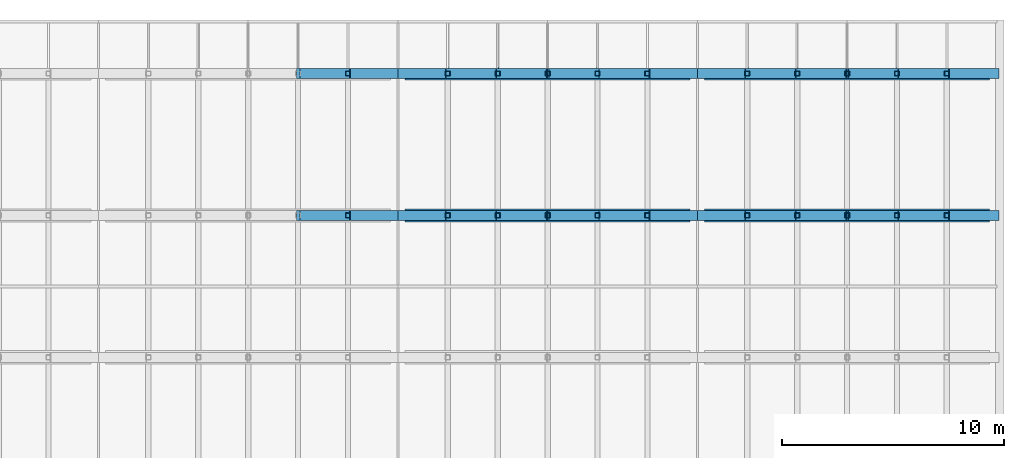
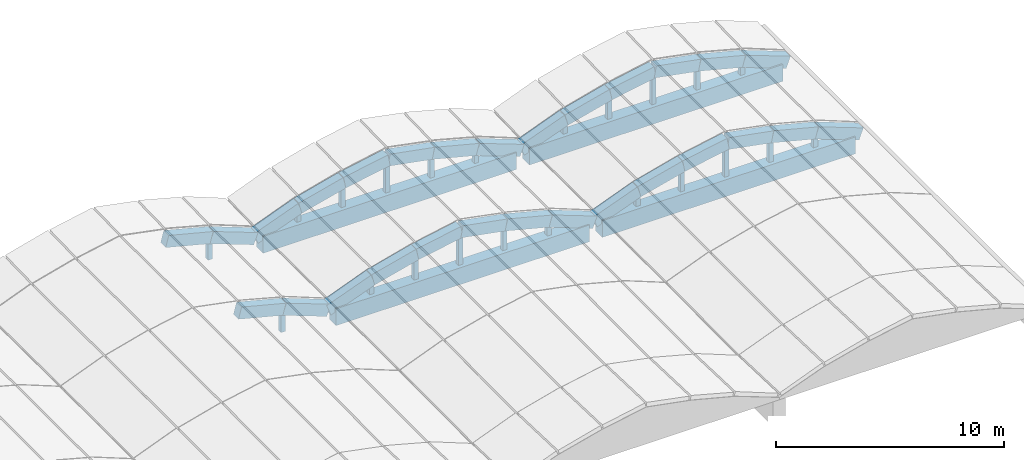
# One storey, part 10 of 15: 32 beams, 22 members.
"""IFC4 building model written with IfcOpenShell, lengths in metres."""

from ifc_helpers import new_model, si_unit, direction, frame, origin, origin_2d, place, context, subcontext, project, spatial, rectangle, hollow_rectangle, extrude, material, material_profile, profile_set, type_object, element, save


model = new_model("IFC4")

# Units and contexts
model_context = context("Model", 3, precision=1e-05, world=origin(), true_north=direction((0.0, 1.0)))
body_context = subcontext(model_context, "Body", "Model", "MODEL_VIEW")
ifc_project = project(units=[si_unit("LENGTHUNIT", "METRE"), si_unit("AREAUNIT", "SQUARE_METRE"), si_unit("VOLUMEUNIT", "CUBIC_METRE"), si_unit("PLANEANGLEUNIT", "RADIAN"), si_unit("MASSUNIT", "GRAM", prefix="KILO")], contexts=[model_context])

# Site, building, storey
site_placement = place(None, origin())
site = spatial("IfcSite", under=ifc_project, at=site_placement, CompositionType="ELEMENT")
building_placement = place(site_placement, origin())
building = spatial("IfcBuilding", under=site, at=building_placement, Name="Fikremerkos Civic Library", CompositionType="ELEMENT")
storey_placement = place(building_placement, frame((0.0, 0.0, 27.89990234375)))
storey = spatial("IfcBuildingStorey", under=building, at=storey_placement, Name="RF", CompositionType="ELEMENT", Elevation=27.89990234375)

# Members
ifc_material_1 = material(Name="Steel S355", Category="steel")
ifc_material_profile_1 = material_profile(ifc_material_1, hollow_rectangle(XDim=0.219970703125, YDim=0.219970703125, WallThickness=0.012451171875, at=origin_2d()), Name="SHS 220x220x12.5")
ifc_profile_set_1 = profile_set([ifc_material_profile_1], Name="Steel S355")
member_type = type_object("IfcMemberType", Name="Frame post PST-04 SHS 220x220x12.5", PredefinedType="POST", material=ifc_profile_set_1)
member_1_placement = place(storey_placement, frame((84.449951171875, 24.800048828125, -0.75), z_axis=(0.0, 0.0, 1.0), x_axis=(1.0, 0.0, 0.0)))
element("IfcMember", 1, at=member_1_placement, inside=storey, type_object=member_type, Name="Vault tied-arch web post PST-04 V5 R3.5", PredefinedType="POST", context=body_context, shape_type="SweptSolid", body=[
    extrude(hollow_rectangle(XDim=0.219970703125, YDim=0.219970703125, WallThickness=0.012451171875, at=origin_2d()), origin(), (0.0, 0.0, 1.0), 1.47607421875),
])
member_2_placement = place(storey_placement, frame((84.449951171875, 31.199951171875, -0.75), z_axis=(0.0, 0.0, 1.0), x_axis=(1.0, 0.0, 0.0)))
element("IfcMember", 2, at=member_2_placement, inside=storey, type_object=member_type, Name="Vault tied-arch web post PST-04 V5 R4.5", PredefinedType="POST", context=body_context, shape_type="SweptSolid", body=[
    extrude(hollow_rectangle(XDim=0.219970703125, YDim=0.219970703125, WallThickness=0.012451171875, at=origin_2d()), origin(), (0.0, 0.0, 1.0), 1.43603515625),
])
member_3_placement = place(storey_placement, frame((88.949951171875, 24.800048828125, -0.75), z_axis=(0.0, 0.0, 1.0), x_axis=(1.0, 0.0, 0.0)))
element("IfcMember", 3, at=member_3_placement, inside=storey, type_object=member_type, Name="Vault tied-arch web post PST-04 V6 R3.1", PredefinedType="POST", context=body_context, shape_type="SweptSolid", body=[
    extrude(hollow_rectangle(XDim=0.219970703125, YDim=0.219970703125, WallThickness=0.012451171875, at=origin_2d()), origin(), (0.0, 0.0, 1.0), 1.47607421875),
])
member_4_placement = place(storey_placement, frame((91.199951171875, 24.800048828125, -0.75), z_axis=(0.0, 0.0, 1.0), x_axis=(1.0, 0.0, 0.0)))
element("IfcMember", 4, at=member_4_placement, inside=storey, type_object=member_type, Name="Vault tied-arch web post PST-04 V6 R3.2", PredefinedType="POST", context=body_context, shape_type="SweptSolid", body=[
    extrude(hollow_rectangle(XDim=0.219970703125, YDim=0.219970703125, WallThickness=0.012451171875, at=origin_2d()), origin(), (0.0, 0.0, 1.0), 2.05419921875),
])
member_5_placement = place(storey_placement, frame((93.449951171875, 24.800048828125, -0.75), z_axis=(0.0, 0.0, 1.0), x_axis=(1.0, 0.0, 0.0)))
element("IfcMember", 5, at=member_5_placement, inside=storey, type_object=member_type, Name="Vault tied-arch web post PST-04 V6 R3.3", PredefinedType="POST", context=body_context, shape_type="SweptSolid", body=[
    extrude(hollow_rectangle(XDim=0.219970703125, YDim=0.219970703125, WallThickness=0.012451171875, at=origin_2d()), origin(), (0.0, 0.0, 1.0), 2.47412109375),
])
member_6_placement = place(storey_placement, frame((95.699951171875, 24.800048828125, -0.75), z_axis=(0.0, 0.0, 1.0), x_axis=(1.0, 0.0, 0.0)))
element("IfcMember", 6, at=member_6_placement, inside=storey, type_object=member_type, Name="Vault tied-arch web post PST-04 V6 R3.4", PredefinedType="POST", context=body_context, shape_type="SweptSolid", body=[
    extrude(hollow_rectangle(XDim=0.219970703125, YDim=0.219970703125, WallThickness=0.012451171875, at=origin_2d()), origin(), (0.0, 0.0, 1.0), 2.05419921875),
])
member_7_placement = place(storey_placement, frame((97.949951171875, 24.800048828125, -0.75), z_axis=(0.0, 0.0, 1.0), x_axis=(1.0, 0.0, 0.0)))
element("IfcMember", 7, at=member_7_placement, inside=storey, type_object=member_type, Name="Vault tied-arch web post PST-04 V6 R3.5", PredefinedType="POST", context=body_context, shape_type="SweptSolid", body=[
    extrude(hollow_rectangle(XDim=0.219970703125, YDim=0.219970703125, WallThickness=0.012451171875, at=origin_2d()), origin(), (0.0, 0.0, 1.0), 1.47607421875),
])
member_8_placement = place(storey_placement, frame((88.949951171875, 31.199951171875, -0.75), z_axis=(0.0, 0.0, 1.0), x_axis=(1.0, 0.0, 0.0)))
element("IfcMember", 8, at=member_8_placement, inside=storey, type_object=member_type, Name="Vault tied-arch web post PST-04 V6 R4.1", PredefinedType="POST", context=body_context, shape_type="SweptSolid", body=[
    extrude(hollow_rectangle(XDim=0.219970703125, YDim=0.219970703125, WallThickness=0.012451171875, at=origin_2d()), origin(), (0.0, 0.0, 1.0), 1.43603515625),
])
member_9_placement = place(storey_placement, frame((91.199951171875, 31.199951171875, -0.75), z_axis=(0.0, 0.0, 1.0), x_axis=(1.0, 0.0, 0.0)))
element("IfcMember", 9, at=member_9_placement, inside=storey, type_object=member_type, Name="Vault tied-arch web post PST-04 V6 R4.2", PredefinedType="POST", context=body_context, shape_type="SweptSolid", body=[
    extrude(hollow_rectangle(XDim=0.219970703125, YDim=0.219970703125, WallThickness=0.012451171875, at=origin_2d()), origin(), (0.0, 0.0, 1.0), 2.01416015625),
])
member_10_placement = place(storey_placement, frame((93.449951171875, 31.199951171875, -0.75), z_axis=(0.0, 0.0, 1.0), x_axis=(1.0, 0.0, 0.0)))
element("IfcMember", 10, at=member_10_placement, inside=storey, type_object=member_type, Name="Vault tied-arch web post PST-04 V6 R4.3", PredefinedType="POST", context=body_context, shape_type="SweptSolid", body=[
    extrude(hollow_rectangle(XDim=0.219970703125, YDim=0.219970703125, WallThickness=0.012451171875, at=origin_2d()), origin(), (0.0, 0.0, 1.0), 2.43408203125),
])
member_11_placement = place(storey_placement, frame((95.699951171875, 31.199951171875, -0.75), z_axis=(0.0, 0.0, 1.0), x_axis=(1.0, 0.0, 0.0)))
element("IfcMember", 11, at=member_11_placement, inside=storey, type_object=member_type, Name="Vault tied-arch web post PST-04 V6 R4.4", PredefinedType="POST", context=body_context, shape_type="SweptSolid", body=[
    extrude(hollow_rectangle(XDim=0.219970703125, YDim=0.219970703125, WallThickness=0.012451171875, at=origin_2d()), origin(), (0.0, 0.0, 1.0), 2.01416015625),
])
member_12_placement = place(storey_placement, frame((97.949951171875, 31.199951171875, -0.75), z_axis=(0.0, 0.0, 1.0), x_axis=(1.0, 0.0, 0.0)))
element("IfcMember", 12, at=member_12_placement, inside=storey, type_object=member_type, Name="Vault tied-arch web post PST-04 V6 R4.5", PredefinedType="POST", context=body_context, shape_type="SweptSolid", body=[
    extrude(hollow_rectangle(XDim=0.219970703125, YDim=0.219970703125, WallThickness=0.012451171875, at=origin_2d()), origin(), (0.0, 0.0, 1.0), 1.43603515625),
])
member_13_placement = place(storey_placement, frame((102.449951171875, 24.800048828125, -0.75), z_axis=(0.0, 0.0, 1.0), x_axis=(1.0, 0.0, 0.0)))
element("IfcMember", 13, at=member_13_placement, inside=storey, type_object=member_type, Name="Vault tied-arch web post PST-04 V7 R3.1", PredefinedType="POST", context=body_context, shape_type="SweptSolid", body=[
    extrude(hollow_rectangle(XDim=0.219970703125, YDim=0.219970703125, WallThickness=0.012451171875, at=origin_2d()), origin(), (0.0, 0.0, 1.0), 1.47607421875),
])
member_14_placement = place(storey_placement, frame((104.699951171875, 24.800048828125, -0.75), z_axis=(0.0, 0.0, 1.0), x_axis=(1.0, 0.0, 0.0)))
element("IfcMember", 14, at=member_14_placement, inside=storey, type_object=member_type, Name="Vault tied-arch web post PST-04 V7 R3.2", PredefinedType="POST", context=body_context, shape_type="SweptSolid", body=[
    extrude(hollow_rectangle(XDim=0.219970703125, YDim=0.219970703125, WallThickness=0.012451171875, at=origin_2d()), origin(), (0.0, 0.0, 1.0), 2.05419921875),
])
member_15_placement = place(storey_placement, frame((106.949951171875, 24.800048828125, -0.75), z_axis=(0.0, 0.0, 1.0), x_axis=(1.0, 0.0, 0.0)))
element("IfcMember", 15, at=member_15_placement, inside=storey, type_object=member_type, Name="Vault tied-arch web post PST-04 V7 R3.3", PredefinedType="POST", context=body_context, shape_type="SweptSolid", body=[
    extrude(hollow_rectangle(XDim=0.219970703125, YDim=0.219970703125, WallThickness=0.012451171875, at=origin_2d()), origin(), (0.0, 0.0, 1.0), 2.47412109375),
])
member_16_placement = place(storey_placement, frame((109.199951171875, 24.800048828125, -0.75), z_axis=(0.0, 0.0, 1.0), x_axis=(1.0, 0.0, 0.0)))
element("IfcMember", 16, at=member_16_placement, inside=storey, type_object=member_type, Name="Vault tied-arch web post PST-04 V7 R3.4", PredefinedType="POST", context=body_context, shape_type="SweptSolid", body=[
    extrude(hollow_rectangle(XDim=0.219970703125, YDim=0.219970703125, WallThickness=0.012451171875, at=origin_2d()), origin(), (0.0, 0.0, 1.0), 2.05419921875),
])
member_17_placement = place(storey_placement, frame((111.449951171875, 24.800048828125, -0.75), z_axis=(0.0, 0.0, 1.0), x_axis=(1.0, 0.0, 0.0)))
element("IfcMember", 17, at=member_17_placement, inside=storey, type_object=member_type, Name="Vault tied-arch web post PST-04 V7 R3.5", PredefinedType="POST", context=body_context, shape_type="SweptSolid", body=[
    extrude(hollow_rectangle(XDim=0.219970703125, YDim=0.219970703125, WallThickness=0.012451171875, at=origin_2d()), origin(), (0.0, 0.0, 1.0), 1.47607421875),
])
member_18_placement = place(storey_placement, frame((102.449951171875, 31.199951171875, -0.75), z_axis=(0.0, 0.0, 1.0), x_axis=(1.0, 0.0, 0.0)))
element("IfcMember", 18, at=member_18_placement, inside=storey, type_object=member_type, Name="Vault tied-arch web post PST-04 V7 R4.1", PredefinedType="POST", context=body_context, shape_type="SweptSolid", body=[
    extrude(hollow_rectangle(XDim=0.219970703125, YDim=0.219970703125, WallThickness=0.012451171875, at=origin_2d()), origin(), (0.0, 0.0, 1.0), 1.43603515625),
])
member_19_placement = place(storey_placement, frame((104.699951171875, 31.199951171875, -0.75), z_axis=(0.0, 0.0, 1.0), x_axis=(1.0, 0.0, 0.0)))
element("IfcMember", 19, at=member_19_placement, inside=storey, type_object=member_type, Name="Vault tied-arch web post PST-04 V7 R4.2", PredefinedType="POST", context=body_context, shape_type="SweptSolid", body=[
    extrude(hollow_rectangle(XDim=0.219970703125, YDim=0.219970703125, WallThickness=0.012451171875, at=origin_2d()), origin(), (0.0, 0.0, 1.0), 2.01416015625),
])
member_20_placement = place(storey_placement, frame((106.949951171875, 31.199951171875, -0.75), z_axis=(0.0, 0.0, 1.0), x_axis=(1.0, 0.0, 0.0)))
element("IfcMember", 20, at=member_20_placement, inside=storey, type_object=member_type, Name="Vault tied-arch web post PST-04 V7 R4.3", PredefinedType="POST", context=body_context, shape_type="SweptSolid", body=[
    extrude(hollow_rectangle(XDim=0.219970703125, YDim=0.219970703125, WallThickness=0.012451171875, at=origin_2d()), origin(), (0.0, 0.0, 1.0), 2.43408203125),
])
member_21_placement = place(storey_placement, frame((109.199951171875, 31.199951171875, -0.75), z_axis=(0.0, 0.0, 1.0), x_axis=(1.0, 0.0, 0.0)))
element("IfcMember", 21, at=member_21_placement, inside=storey, type_object=member_type, Name="Vault tied-arch web post PST-04 V7 R4.4", PredefinedType="POST", context=body_context, shape_type="SweptSolid", body=[
    extrude(hollow_rectangle(XDim=0.219970703125, YDim=0.219970703125, WallThickness=0.012451171875, at=origin_2d()), origin(), (0.0, 0.0, 1.0), 2.01416015625),
])
member_22_placement = place(storey_placement, frame((111.449951171875, 31.199951171875, -0.75), z_axis=(0.0, 0.0, 1.0), x_axis=(1.0, 0.0, 0.0)))
element("IfcMember", 22, at=member_22_placement, inside=storey, type_object=member_type, Name="Vault tied-arch web post PST-04 V7 R4.5", PredefinedType="POST", context=body_context, shape_type="SweptSolid", body=[
    extrude(hollow_rectangle(XDim=0.219970703125, YDim=0.219970703125, WallThickness=0.012451171875, at=origin_2d()), origin(), (0.0, 0.0, 1.0), 1.43603515625),
])

# Beams
ifc_material_2 = material(Name="Concrete C45/55", Category="concrete")
ifc_material_profile_2 = material_profile(ifc_material_2, rectangle(XDim=0.449951171875, YDim=0.6201171875, at=origin_2d()), Name="RC 450x620")
ifc_profile_set_2 = profile_set([ifc_material_profile_2], Name="Concrete C45/55")
beam_type_1 = type_object("IfcBeamType", Name="Primary girder vault arch rib BM-10 RC 450x620", PredefinedType="BEAM", material=ifc_profile_set_2)
beam_1_placement = place(storey_placement, frame((82.199951171875, 24.800048828125, 1.114013671875), z_axis=(0.968564592705, 0.0, -0.248762195197), x_axis=(0.0, 1.0, 0.0)))
element("IfcBeam", 23, at=beam_1_placement, inside=storey, type_object=beam_type_1, Name="Concrete vault arch rib BM-10 V5 R3.5", PredefinedType="BEAM", context=body_context, shape_type="SweptSolid", body=[
    extrude(rectangle(XDim=0.449951171875, YDim=0.6201171875, at=origin_2d()), origin(), (0.0, 0.0, 1.0), 2.322998046875),
])
beam_2_placement = place(storey_placement, frame((84.449951171875, 24.800048828125, 0.5361328125), z_axis=(0.936028311828, 0.0, -0.351924707084), x_axis=(0.0, 1.0, 0.0)))
element("IfcBeam", 24, at=beam_2_placement, inside=storey, type_object=beam_type_1, Name="Concrete vault arch rib BM-10 V5 R3.6", PredefinedType="BEAM", context=body_context, shape_type="SweptSolid", body=[
    extrude(rectangle(XDim=0.449951171875, YDim=0.6201171875, at=origin_2d()), origin(), (0.0, 0.0, 1.0), 2.40380859375),
])
beam_3_placement = place(storey_placement, frame((82.199951171875, 31.199951171875, 1.07421875), z_axis=(0.968539266286, 0.0, -0.248860783698), x_axis=(0.0, 1.0, 0.0)))
element("IfcBeam", 25, at=beam_3_placement, inside=storey, type_object=beam_type_1, Name="Concrete vault arch rib BM-10 V5 R4.5", PredefinedType="BEAM", context=body_context, shape_type="SweptSolid", body=[
    extrude(rectangle(XDim=0.449951171875, YDim=0.6201171875, at=origin_2d()), origin(), (0.0, 0.0, 1.0), 2.322998046875),
])
for number, where, z_axis, x_axis, name in (
    (26, (84.449951171875, 31.199951171875, 0.49609375), (0.936028311828, 0.0, -0.351924707084), (0.0, 1.0, 0.0), "Concrete vault arch rib BM-10 V5 R4.6"),
    (27, (86.699951171875, 24.800048828125, -0.309814453125), (0.936028311828, 0.0, 0.351924707084), (0.0, 1.0, 0.0), "Concrete vault arch rib BM-10 V6 R3.1"),
):
    element("IfcBeam", number, at=place(storey_placement, frame(where, z_axis=z_axis, x_axis=x_axis)), inside=storey, type_object=beam_type_1, Name=name, PredefinedType="BEAM", context=body_context, shape_type="SweptSolid", body=[
        extrude(rectangle(XDim=0.449951171875, YDim=0.6201171875, at=origin_2d()), origin(), (0.0, 0.0, 1.0), 2.40380859375),
    ])
beam_4_placement = place(storey_placement, frame((88.949951171875, 24.800048828125, 0.5361328125), z_axis=(0.968564592705, 0.0, 0.248762195197), x_axis=(0.0, 1.0, 0.0)))
element("IfcBeam", 28, at=beam_4_placement, inside=storey, type_object=beam_type_1, Name="Concrete vault arch rib BM-10 V6 R3.2", PredefinedType="BEAM", context=body_context, shape_type="SweptSolid", body=[
    extrude(rectangle(XDim=0.449951171875, YDim=0.6201171875, at=origin_2d()), origin(), (0.0, 0.0, 1.0), 2.322998046875),
])
for number, where, z_axis, x_axis, name in (
    (29, (91.199951171875, 24.800048828125, 1.114013671875), (0.983007163041, 0.0, 0.183567201345), (0.0, 1.0, 0.0), "Concrete vault arch rib BM-10 V6 R3.3"),
    (30, (93.449951171875, 24.800048828125, 1.5341796875), (0.983007163041, 0.0, -0.183567201345), (0.0, 1.0, 0.0), "Concrete vault arch rib BM-10 V6 R3.4"),
):
    element("IfcBeam", number, at=place(storey_placement, frame(where, z_axis=z_axis, x_axis=x_axis)), inside=storey, type_object=beam_type_1, Name=name, PredefinedType="BEAM", context=body_context, shape_type="SweptSolid", body=[
        extrude(rectangle(XDim=0.449951171875, YDim=0.6201171875, at=origin_2d()), origin(), (0.0, 0.0, 1.0), 2.288818359375),
    ])
beam_5_placement = place(storey_placement, frame((95.699951171875, 24.800048828125, 1.114013671875), z_axis=(0.968564592705, 0.0, -0.248762195197), x_axis=(0.0, 1.0, 0.0)))
element("IfcBeam", 31, at=beam_5_placement, inside=storey, type_object=beam_type_1, Name="Concrete vault arch rib BM-10 V6 R3.5", PredefinedType="BEAM", context=body_context, shape_type="SweptSolid", body=[
    extrude(rectangle(XDim=0.449951171875, YDim=0.6201171875, at=origin_2d()), origin(), (0.0, 0.0, 1.0), 2.322998046875),
])
for number, where, z_axis, x_axis, name in (
    (32, (97.949951171875, 24.800048828125, 0.5361328125), (0.936028311828, 0.0, -0.351924707084), (0.0, 1.0, 0.0), "Concrete vault arch rib BM-10 V6 R3.6"),
    (33, (86.699951171875, 31.199951171875, -0.349853515625), (0.936028311828, 0.0, 0.351924707084), (0.0, 1.0, 0.0), "Concrete vault arch rib BM-10 V6 R4.1"),
):
    element("IfcBeam", number, at=place(storey_placement, frame(where, z_axis=z_axis, x_axis=x_axis)), inside=storey, type_object=beam_type_1, Name=name, PredefinedType="BEAM", context=body_context, shape_type="SweptSolid", body=[
        extrude(rectangle(XDim=0.449951171875, YDim=0.6201171875, at=origin_2d()), origin(), (0.0, 0.0, 1.0), 2.40380859375),
    ])
beam_6_placement = place(storey_placement, frame((88.949951171875, 31.199951171875, 0.49609375), z_axis=(0.968539266286, 0.0, 0.248860783698), x_axis=(0.0, 1.0, 0.0)))
element("IfcBeam", 34, at=beam_6_placement, inside=storey, type_object=beam_type_1, Name="Concrete vault arch rib BM-10 V6 R4.2", PredefinedType="BEAM", context=body_context, shape_type="SweptSolid", body=[
    extrude(rectangle(XDim=0.449951171875, YDim=0.6201171875, at=origin_2d()), origin(), (0.0, 0.0, 1.0), 2.322998046875),
])
for number, where, z_axis, x_axis, name in (
    (35, (91.199951171875, 31.199951171875, 1.07421875), (0.983026405145, 0.0, 0.183464129432), (0.0, 1.0, 0.0), "Concrete vault arch rib BM-10 V6 R4.3"),
    (36, (93.449951171875, 31.199951171875, 1.494140625), (0.983026405145, 0.0, -0.183464129432), (0.0, 1.0, 0.0), "Concrete vault arch rib BM-10 V6 R4.4"),
):
    element("IfcBeam", number, at=place(storey_placement, frame(where, z_axis=z_axis, x_axis=x_axis)), inside=storey, type_object=beam_type_1, Name=name, PredefinedType="BEAM", context=body_context, shape_type="SweptSolid", body=[
        extrude(rectangle(XDim=0.449951171875, YDim=0.6201171875, at=origin_2d()), origin(), (0.0, 0.0, 1.0), 2.288818359375),
    ])
beam_7_placement = place(storey_placement, frame((95.699951171875, 31.199951171875, 1.07421875), z_axis=(0.968539266286, 0.0, -0.248860783698), x_axis=(0.0, 1.0, 0.0)))
element("IfcBeam", 37, at=beam_7_placement, inside=storey, type_object=beam_type_1, Name="Concrete vault arch rib BM-10 V6 R4.5", PredefinedType="BEAM", context=body_context, shape_type="SweptSolid", body=[
    extrude(rectangle(XDim=0.449951171875, YDim=0.6201171875, at=origin_2d()), origin(), (0.0, 0.0, 1.0), 2.322998046875),
])
for number, where, z_axis, x_axis, name in (
    (38, (97.949951171875, 31.199951171875, 0.49609375), (0.936028311828, 0.0, -0.351924707084), (0.0, 1.0, 0.0), "Concrete vault arch rib BM-10 V6 R4.6"),
    (39, (100.199951171875, 24.800048828125, -0.309814453125), (0.936028311828, 0.0, 0.351924707084), (0.0, 1.0, 0.0), "Concrete vault arch rib BM-10 V7 R3.1"),
):
    element("IfcBeam", number, at=place(storey_placement, frame(where, z_axis=z_axis, x_axis=x_axis)), inside=storey, type_object=beam_type_1, Name=name, PredefinedType="BEAM", context=body_context, shape_type="SweptSolid", body=[
        extrude(rectangle(XDim=0.449951171875, YDim=0.6201171875, at=origin_2d()), origin(), (0.0, 0.0, 1.0), 2.40380859375),
    ])
beam_8_placement = place(storey_placement, frame((102.449951171875, 24.800048828125, 0.5361328125), z_axis=(0.968564592705, 0.0, 0.248762195197), x_axis=(0.0, 1.0, 0.0)))
element("IfcBeam", 40, at=beam_8_placement, inside=storey, type_object=beam_type_1, Name="Concrete vault arch rib BM-10 V7 R3.2", PredefinedType="BEAM", context=body_context, shape_type="SweptSolid", body=[
    extrude(rectangle(XDim=0.449951171875, YDim=0.6201171875, at=origin_2d()), origin(), (0.0, 0.0, 1.0), 2.322998046875),
])
for number, where, z_axis, x_axis, name in (
    (41, (104.699951171875, 24.800048828125, 1.114013671875), (0.983007163041, 0.0, 0.183567201345), (0.0, 1.0, 0.0), "Concrete vault arch rib BM-10 V7 R3.3"),
    (42, (106.949951171875, 24.800048828125, 1.5341796875), (0.983007163041, 0.0, -0.183567201345), (0.0, 1.0, 0.0), "Concrete vault arch rib BM-10 V7 R3.4"),
):
    element("IfcBeam", number, at=place(storey_placement, frame(where, z_axis=z_axis, x_axis=x_axis)), inside=storey, type_object=beam_type_1, Name=name, PredefinedType="BEAM", context=body_context, shape_type="SweptSolid", body=[
        extrude(rectangle(XDim=0.449951171875, YDim=0.6201171875, at=origin_2d()), origin(), (0.0, 0.0, 1.0), 2.288818359375),
    ])
beam_9_placement = place(storey_placement, frame((109.199951171875, 24.800048828125, 1.114013671875), z_axis=(0.968564592705, 0.0, -0.248762195197), x_axis=(0.0, 1.0, 0.0)))
element("IfcBeam", 43, at=beam_9_placement, inside=storey, type_object=beam_type_1, Name="Concrete vault arch rib BM-10 V7 R3.5", PredefinedType="BEAM", context=body_context, shape_type="SweptSolid", body=[
    extrude(rectangle(XDim=0.449951171875, YDim=0.6201171875, at=origin_2d()), origin(), (0.0, 0.0, 1.0), 2.322998046875),
])
for number, where, z_axis, x_axis, name in (
    (44, (111.449951171875, 24.800048828125, 0.5361328125), (0.936028311828, 0.0, -0.351924707084), (0.0, 1.0, 0.0), "Concrete vault arch rib BM-10 V7 R3.6"),
    (45, (100.199951171875, 31.199951171875, -0.349853515625), (0.936028311828, 0.0, 0.351924707084), (0.0, 1.0, 0.0), "Concrete vault arch rib BM-10 V7 R4.1"),
):
    element("IfcBeam", number, at=place(storey_placement, frame(where, z_axis=z_axis, x_axis=x_axis)), inside=storey, type_object=beam_type_1, Name=name, PredefinedType="BEAM", context=body_context, shape_type="SweptSolid", body=[
        extrude(rectangle(XDim=0.449951171875, YDim=0.6201171875, at=origin_2d()), origin(), (0.0, 0.0, 1.0), 2.40380859375),
    ])
beam_10_placement = place(storey_placement, frame((102.449951171875, 31.199951171875, 0.49609375), z_axis=(0.968539266286, 0.0, 0.248860783698), x_axis=(0.0, 1.0, 0.0)))
element("IfcBeam", 46, at=beam_10_placement, inside=storey, type_object=beam_type_1, Name="Concrete vault arch rib BM-10 V7 R4.2", PredefinedType="BEAM", context=body_context, shape_type="SweptSolid", body=[
    extrude(rectangle(XDim=0.449951171875, YDim=0.6201171875, at=origin_2d()), origin(), (0.0, 0.0, 1.0), 2.322998046875),
])
for number, where, z_axis, x_axis, name in (
    (47, (104.699951171875, 31.199951171875, 1.07421875), (0.983026405145, 0.0, 0.183464129432), (0.0, 1.0, 0.0), "Concrete vault arch rib BM-10 V7 R4.3"),
    (48, (106.949951171875, 31.199951171875, 1.494140625), (0.983026405145, 0.0, -0.183464129432), (0.0, 1.0, 0.0), "Concrete vault arch rib BM-10 V7 R4.4"),
):
    element("IfcBeam", number, at=place(storey_placement, frame(where, z_axis=z_axis, x_axis=x_axis)), inside=storey, type_object=beam_type_1, Name=name, PredefinedType="BEAM", context=body_context, shape_type="SweptSolid", body=[
        extrude(rectangle(XDim=0.449951171875, YDim=0.6201171875, at=origin_2d()), origin(), (0.0, 0.0, 1.0), 2.288818359375),
    ])
beam_11_placement = place(storey_placement, frame((109.199951171875, 31.199951171875, 1.07421875), z_axis=(0.968539266286, 0.0, -0.248860783698), x_axis=(0.0, 1.0, 0.0)))
element("IfcBeam", 49, at=beam_11_placement, inside=storey, type_object=beam_type_1, Name="Concrete vault arch rib BM-10 V7 R4.5", PredefinedType="BEAM", context=body_context, shape_type="SweptSolid", body=[
    extrude(rectangle(XDim=0.449951171875, YDim=0.6201171875, at=origin_2d()), origin(), (0.0, 0.0, 1.0), 2.322998046875),
])
beam_12_placement = place(storey_placement, frame((111.449951171875, 31.199951171875, 0.49609375), z_axis=(0.936028311828, 0.0, -0.351924707084), x_axis=(0.0, 1.0, 0.0)))
element("IfcBeam", 50, at=beam_12_placement, inside=storey, type_object=beam_type_1, Name="Concrete vault arch rib BM-10 V7 R4.6", PredefinedType="BEAM", context=body_context, shape_type="SweptSolid", body=[
    extrude(rectangle(XDim=0.449951171875, YDim=0.6201171875, at=origin_2d()), origin(), (0.0, 0.0, 1.0), 2.40380859375),
])
ifc_material_profile_3 = material_profile(ifc_material_2, rectangle(XDim=0.60009765625, YDim=0.89990234375, at=origin_2d()), Name="RC 600x900")
ifc_profile_set_3 = profile_set([ifc_material_profile_3], Name="Concrete C45/55")
beam_type_2 = type_object("IfcBeamType", Name="Primary girder vault tie ring BM-09 RC 600x900", PredefinedType="BEAM", material=ifc_profile_set_3)
for number, where, z_axis, x_axis, name in (
    (51, (87.02490234375, 24.800048828125, -0.75), (1.0, 0.0, 0.0), (0.0, 1.0, 0.0), "Vault springing tie ring beam BM-09 V6 #3"),
    (52, (87.02490234375, 31.199951171875, -0.75), (1.0, 0.0, 0.0), (0.0, 1.0, 0.0), "Vault springing tie ring beam BM-09 V6 #4"),
    (53, (100.52490234375, 24.800048828125, -0.75), (1.0, 0.0, 0.0), (0.0, 1.0, 0.0), "Vault springing tie ring beam BM-09 V7 #3"),
    (54, (100.52490234375, 31.199951171875, -0.75), (1.0, 0.0, 0.0), (0.0, 1.0, 0.0), "Vault springing tie ring beam BM-09 V7 #4"),
):
    element("IfcBeam", number, at=place(storey_placement, frame(where, z_axis=z_axis, x_axis=x_axis)), inside=storey, type_object=beam_type_2, Name=name, PredefinedType="BEAM", context=body_context, shape_type="SweptSolid", body=[
        extrude(rectangle(XDim=0.60009765625, YDim=0.89990234375, at=origin_2d()), origin(), (0.0, 0.0, 1.0), 12.85009765625),
    ])

save(model, "model.ifc")
